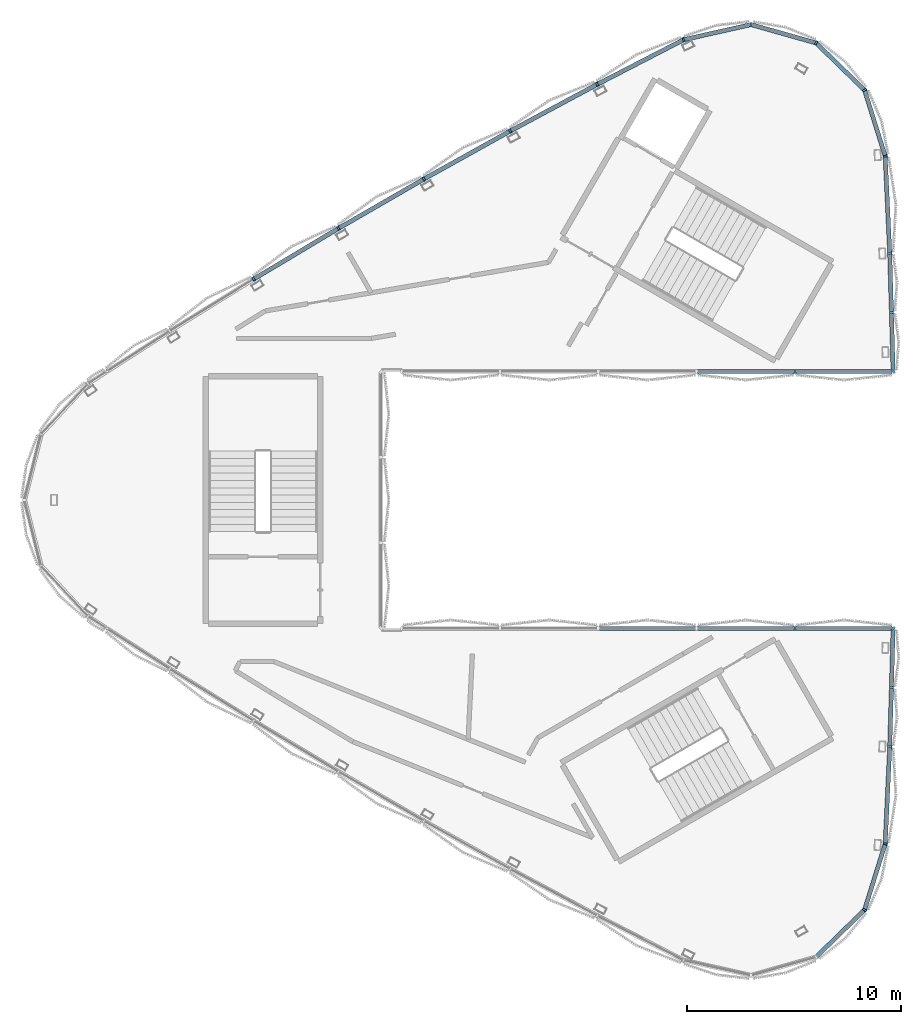
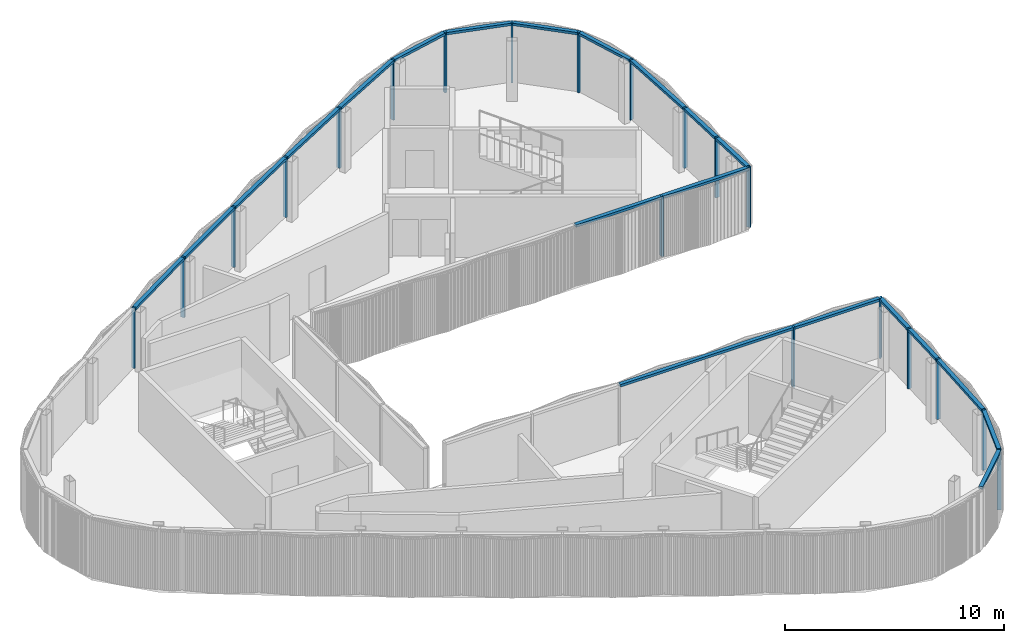
# One storey, part 4 of 16: 39 members, 2 elements without a shape of their own.
"""IFC4 building model written with IfcOpenShell, lengths in metres."""

from ifc_helpers import new_model, si_unit, direction, frame, origin, origin_2d, place, context, subcontext, project, spatial, rectangle, extrude, material, material_profile, profile_set, type_object, element, aggregate, save


model = new_model("IFC4")

# Units and contexts
model_context = context("Model", 3, precision=1e-05, world=origin(), true_north=direction((0.0, 1.0)))
body_context = subcontext(model_context, "Body", "Model", "MODEL_VIEW")
ifc_project = project(units=[si_unit("LENGTHUNIT", "METRE"), si_unit("AREAUNIT", "SQUARE_METRE"), si_unit("VOLUMEUNIT", "CUBIC_METRE"), si_unit("PLANEANGLEUNIT", "RADIAN"), si_unit("MASSUNIT", "GRAM", prefix="KILO")], contexts=[model_context])

# Site, building, storey
site_placement = place(None, origin())
site = spatial("IfcSite", under=ifc_project, at=site_placement, CompositionType="ELEMENT")
building_placement = place(site_placement, origin())
building = spatial("IfcBuilding", under=site, at=building_placement, Name="Tamra Quay Hotel Tower", CompositionType="ELEMENT")
storey_placement = place(building_placement, frame((0.0, 0.0, 324.199951171875)))
storey = spatial("IfcBuildingStorey", under=building, at=storey_placement, Name="Roof crown 2", CompositionType="ELEMENT", Elevation=324.199951171875)

# Curtain wall, members
ifc_material = material(Name="Aluminium 6063 anodised dark grey", Category="aluminium")
curtain_wall_type = type_object("IfcCurtainWallType", Name="CW6 CURTAIN WALL", PredefinedType="NOTDEFINED", material=ifc_material)
curtain_wall_1_placement = place(storey_placement, origin())
curtain_wall_1 = element("IfcCurtainWall", 1, at=curtain_wall_1_placement, inside=storey, type_object=curtain_wall_type, Name="CW6 lantern A face Roof crown 2", PredefinedType="NOTDEFINED")
ifc_material_profile_1 = material_profile(ifc_material, rectangle(XDim=0.199951171875, YDim=0.10009765625, at=origin_2d()), Name="MULLION 100X200")
ifc_profile_set_1 = profile_set([ifc_material_profile_1], Name="Aluminium 6063 anodised dark grey")
member_type_1 = type_object("IfcMemberType", Name="MULLION CW6", PredefinedType="MULLION", material=ifc_profile_set_1)
member_1_placement = place(storey_placement, frame((15.767822265625, 11.528564453125, 0.0), z_axis=(0.0, 0.0, 1.0), x_axis=(0.999287700876, 0.037737128642, 0.0)))
member_1 = element("IfcMember", 2, at=member_1_placement, type_object=member_type_1, Name="CW6 mullion Roof crown 2.A.1", PredefinedType="MULLION", context=body_context, shape_type="SweptSolid", body=[
    extrude(rectangle(XDim=0.199951171875, YDim=0.10009765625, at=origin_2d()), origin(), (0.0, 0.0, 1.0), 3.35009765625),
])
member_2_placement = place(storey_placement, frame((15.555419921875, 16.063720703125, 0.0), z_axis=(0.0, 0.0, 1.0), x_axis=(0.984739916253, 0.174032460585, 0.0)))
member_2 = element("IfcMember", 3, at=member_2_placement, type_object=member_type_1, Name="CW6 mullion Roof crown 2.A.2", PredefinedType="MULLION", context=body_context, shape_type="SweptSolid", body=[
    extrude(rectangle(XDim=0.199951171875, YDim=0.10009765625, at=origin_2d()), origin(), (0.0, 0.0, 1.0), 3.35009765625),
])
member_3_placement = place(storey_placement, frame((14.5908203125, 19.149169921875, 0.0), z_axis=(0.0, 0.0, 1.0), x_axis=(0.851964184595, 0.523600065094, 0.0)))
member_3 = element("IfcMember", 4, at=member_3_placement, type_object=member_type_1, Name="CW6 mullion Roof crown 2.A.3", PredefinedType="MULLION", context=body_context, shape_type="SweptSolid", body=[
    extrude(rectangle(XDim=0.199951171875, YDim=0.10009765625, at=origin_2d()), origin(), (0.0, 0.0, 1.0), 3.35009765625),
])
member_4_placement = place(storey_placement, frame((12.3271484375, 21.351318359375, 0.0), z_axis=(0.0, 0.0, 1.0), x_axis=(0.5, 0.866025403784, 0.0)))
member_4 = element("IfcMember", 5, at=member_4_placement, type_object=member_type_1, Name="CW6 mullion Roof crown 2.A.4", PredefinedType="MULLION", context=body_context, shape_type="SweptSolid", body=[
    extrude(rectangle(XDim=0.199951171875, YDim=0.10009765625, at=origin_2d()), origin(), (0.0, 0.0, 1.0), 3.35009765625),
])
member_5_placement = place(storey_placement, frame((9.288330078125, 22.21044921875, 0.0), z_axis=(0.0, 0.0, 1.0), x_axis=(0.027468865497, 0.999622659521, 0.0)))
member_5 = element("IfcMember", 6, at=member_5_placement, type_object=member_type_1, Name="CW6 mullion Roof crown 2.A.5", PredefinedType="MULLION", context=body_context, shape_type="SweptSolid", body=[
    extrude(rectangle(XDim=0.199951171875, YDim=0.10009765625, at=origin_2d()), origin(), (0.0, 0.0, 1.0), 3.35009765625),
])
member_6_placement = place(storey_placement, frame((6.134033203125, 21.503173828125, 0.0), z_axis=(0.0, 0.0, 1.0), x_axis=(-0.341653426177, 0.939826013888, 0.0)))
member_6 = element("IfcMember", 7, at=member_6_placement, type_object=member_type_1, Name="CW6 mullion Roof crown 2.A.6", PredefinedType="MULLION", context=body_context, shape_type="SweptSolid", body=[
    extrude(rectangle(XDim=0.199951171875, YDim=0.10009765625, at=origin_2d()), origin(), (0.0, 0.0, 1.0), 3.35009765625),
])
member_7_placement = place(storey_placement, frame((2.10009765625, 19.419677734375, 0.0), z_axis=(0.0, 0.0, 1.0), x_axis=(-0.465815600445, 0.884881814923, 0.0)))
member_7 = element("IfcMember", 8, at=member_7_placement, type_object=member_type_1, Name="CW6 mullion Roof crown 2.A.7", PredefinedType="MULLION", context=body_context, shape_type="SweptSolid", body=[
    extrude(rectangle(XDim=0.199951171875, YDim=0.10009765625, at=origin_2d()), origin(), (0.0, 0.0, 1.0), 3.35009765625),
])
member_8_placement = place(storey_placement, frame((-1.96435546875, 17.239501953125, 0.0), z_axis=(0.0, 0.0, 1.0), x_axis=(-0.479565116943, 0.877506295483, 0.0)))
member_8 = element("IfcMember", 9, at=member_8_placement, type_object=member_type_1, Name="CW6 mullion Roof crown 2.A.8", PredefinedType="MULLION", context=body_context, shape_type="SweptSolid", body=[
    extrude(rectangle(XDim=0.199951171875, YDim=0.10009765625, at=origin_2d()), origin(), (0.0, 0.0, 1.0), 3.35009765625),
])
member_9_placement = place(storey_placement, frame((-5.99462890625, 14.995849609375, 0.0), z_axis=(0.0, 0.0, 1.0), x_axis=(-0.493215722033, 0.869907036148, 0.0)))
member_9 = element("IfcMember", 10, at=member_9_placement, type_object=member_type_1, Name="CW6 mullion Roof crown 2.A.9", PredefinedType="MULLION", context=body_context, shape_type="SweptSolid", body=[
    extrude(rectangle(XDim=0.199951171875, YDim=0.10009765625, at=origin_2d()), origin(), (0.0, 0.0, 1.0), 3.35009765625),
])
member_10_placement = place(storey_placement, frame((-9.989501953125, 12.689453125, 0.0), z_axis=(0.0, 0.0, 1.0), x_axis=(-0.506753731218, 0.862090862901, 0.0)))
member_10 = element("IfcMember", 11, at=member_10_placement, type_object=member_type_1, Name="CW6 mullion Roof crown 2.A.10", PredefinedType="MULLION", context=body_context, shape_type="SweptSolid", body=[
    extrude(rectangle(XDim=0.199951171875, YDim=0.10009765625, at=origin_2d()), origin(), (0.0, 0.0, 1.0), 3.35009765625),
])
member_11_placement = place(storey_placement, frame((-13.947509765625, 10.321044921875, 0.0), z_axis=(0.0, 0.0, 1.0), x_axis=(-0.520160185397, 0.854068721783, 0.0)))
member_11 = element("IfcMember", 12, at=member_11_placement, type_object=member_type_1, Name="CW6 mullion Roof crown 2.A.11", PredefinedType="MULLION", context=body_context, shape_type="SweptSolid", body=[
    extrude(rectangle(XDim=0.199951171875, YDim=0.10009765625, at=origin_2d()), origin(), (0.0, 0.0, 1.0), 3.35009765625),
])
member_12_placement = place(storey_placement, frame((11.333740234375, 6.0, 0.0), z_axis=(0.0, 0.0, 1.0), x_axis=(0.0, -1.0, 0.0)))
member_12 = element("IfcMember", 13, at=member_12_placement, type_object=member_type_1, Name="CW6 mullion Roof crown 2.A.17", PredefinedType="MULLION", context=body_context, shape_type="SweptSolid", body=[
    extrude(rectangle(XDim=0.199951171875, YDim=0.10009765625, at=origin_2d()), origin(), (0.0, 0.0, 1.0), 3.35009765625),
])
member_13_placement = place(storey_placement, frame((15.92626953125, 6.0, 0.0), z_axis=(0.0, 0.0, 1.0), x_axis=(0.717164497017, -0.696903927538, 0.0)))
member_13 = element("IfcMember", 14, at=member_13_placement, type_object=member_type_1, Name="CW6 mullion Roof crown 2.A.18", PredefinedType="MULLION", context=body_context, shape_type="SweptSolid", body=[
    extrude(rectangle(XDim=0.199951171875, YDim=0.10009765625, at=origin_2d()), origin(), (0.0, 0.0, 1.0), 3.35009765625),
])
member_14_placement = place(storey_placement, frame((15.84716796875, 8.76416015625, 0.0), z_axis=(0.0, 0.0, 1.0), x_axis=(0.999589509324, 0.028649831581, 0.0)))
member_14 = element("IfcMember", 15, at=member_14_placement, type_object=member_type_1, Name="CW6 mullion Roof crown 2.A.19", PredefinedType="MULLION", context=body_context, shape_type="SweptSolid", body=[
    extrude(rectangle(XDim=0.199951171875, YDim=0.10009765625, at=origin_2d()), origin(), (0.0, 0.0, 1.0), 3.35009765625),
])

curtain_wall_2_placement = place(storey_placement, origin())
curtain_wall_2 = element("IfcCurtainWall", 16, at=curtain_wall_2_placement, inside=storey, type_object=curtain_wall_type, Name="CW6 lantern B face Roof crown 2", PredefinedType="NOTDEFINED")
member_15_placement = place(storey_placement, frame((15.92626953125, -6.0, 0.0), z_axis=(0.0, 0.0, 1.0), x_axis=(0.717164497017, 0.696903927538, 0.0)))
member_15 = element("IfcMember", 17, at=member_15_placement, type_object=member_type_1, Name="CW6 mullion Roof crown 2.B.1", PredefinedType="MULLION", context=body_context, shape_type="SweptSolid", body=[
    extrude(rectangle(XDim=0.199951171875, YDim=0.10009765625, at=origin_2d()), origin(), (0.0, 0.0, 1.0), 3.35009765625),
])
member_16_placement = place(storey_placement, frame((11.333740234375, -6.0, 0.0), z_axis=(0.0, 0.0, 1.0), x_axis=(0.0, 1.0, 0.0)))
member_16 = element("IfcMember", 18, at=member_16_placement, type_object=member_type_1, Name="CW6 mullion Roof crown 2.B.2", PredefinedType="MULLION", context=body_context, shape_type="SweptSolid", body=[
    extrude(rectangle(XDim=0.199951171875, YDim=0.10009765625, at=origin_2d()), origin(), (0.0, 0.0, 1.0), 3.35009765625),
])
member_17_placement = place(storey_placement, frame((14.5908203125, -19.149169921875, 0.0), z_axis=(0.0, 0.0, 1.0), x_axis=(0.851964184595, -0.523600065094, 0.0)))
member_17 = element("IfcMember", 19, at=member_17_placement, type_object=member_type_1, Name="CW6 mullion Roof crown 2.B.16", PredefinedType="MULLION", context=body_context, shape_type="SweptSolid", body=[
    extrude(rectangle(XDim=0.199951171875, YDim=0.10009765625, at=origin_2d()), origin(), (0.0, 0.0, 1.0), 3.35009765625),
])
member_18_placement = place(storey_placement, frame((15.555419921875, -16.063720703125, 0.0), z_axis=(0.0, 0.0, 1.0), x_axis=(0.984739916253, -0.174032460585, 0.0)))
member_18 = element("IfcMember", 20, at=member_18_placement, type_object=member_type_1, Name="CW6 mullion Roof crown 2.B.17", PredefinedType="MULLION", context=body_context, shape_type="SweptSolid", body=[
    extrude(rectangle(XDim=0.199951171875, YDim=0.10009765625, at=origin_2d()), origin(), (0.0, 0.0, 1.0), 3.35009765625),
])
member_19_placement = place(storey_placement, frame((15.767822265625, -11.528564453125, 0.0), z_axis=(0.0, 0.0, 1.0), x_axis=(0.999287700876, -0.037737128642, 0.0)))
member_19 = element("IfcMember", 21, at=member_19_placement, type_object=member_type_1, Name="CW6 mullion Roof crown 2.B.18", PredefinedType="MULLION", context=body_context, shape_type="SweptSolid", body=[
    extrude(rectangle(XDim=0.199951171875, YDim=0.10009765625, at=origin_2d()), origin(), (0.0, 0.0, 1.0), 3.35009765625),
])
member_20_placement = place(storey_placement, frame((15.84716796875, -8.76416015625, 0.0), z_axis=(0.0, 0.0, 1.0), x_axis=(0.999589509324, -0.028649831581, 0.0)))
member_20 = element("IfcMember", 22, at=member_20_placement, type_object=member_type_1, Name="CW6 mullion Roof crown 2.B.19", PredefinedType="MULLION", context=body_context, shape_type="SweptSolid", body=[
    extrude(rectangle(XDim=0.199951171875, YDim=0.10009765625, at=origin_2d()), origin(), (0.0, 0.0, 1.0), 3.35009765625),
])

# Member
ifc_material_profile_2 = material_profile(ifc_material, rectangle(XDim=0.199951171875, YDim=0.139892578125, at=origin_2d()), Name="TRANSOM 200X140")
ifc_profile_set_2 = profile_set([ifc_material_profile_2], Name="Aluminium 6063 anodised dark grey")
member_type_2 = type_object("IfcMemberType", Name="TRANSOM CW6", PredefinedType="USERDEFINED", material=ifc_profile_set_2)
member_21_placement = place(storey_placement, frame((15.765625, 11.578369140625, 3.280029296875), z_axis=(-0.046844159112, 0.998902209807, 0.0), x_axis=(-0.998902209807, -0.046844159112, 0.0)))
member_21 = element("IfcMember", 23, at=member_21_placement, type_object=member_type_2, Name="CW6 transom Roof crown 2.A.1", ObjectType="TRANSOM", PredefinedType="USERDEFINED", context=body_context, shape_type="SweptSolid", body=[
    extrude(rectangle(XDim=0.199951171875, YDim=0.139892578125, at=origin_2d()), origin(), (0.0, 0.0, 1.0), 4.4404296875),
])

member_22_placement = place(storey_placement, frame((15.54052734375, 16.111572265625, 3.280029296875), z_axis=(-0.298403676177, 0.954439755063, 0.0), x_axis=(-0.954439755063, -0.298403676177, 0.0)))
member_22 = element("IfcMember", 24, at=member_22_placement, type_object=member_type_2, Name="CW6 transom Roof crown 2.A.2", ObjectType="TRANSOM", PredefinedType="USERDEFINED", context=body_context, shape_type="SweptSolid", body=[
    extrude(rectangle(XDim=0.199951171875, YDim=0.139892578125, at=origin_2d()), origin(), (0.0, 0.0, 1.0), 3.1328125),
])

member_23_placement = place(storey_placement, frame((14.554931640625, 19.18408203125, 3.280029296875), z_axis=(-0.716779852689, 0.697299535909, 0.0), x_axis=(-0.697299535909, -0.716779852689, 0.0)))
member_23 = element("IfcMember", 25, at=member_23_placement, type_object=member_type_2, Name="CW6 transom Roof crown 2.A.3", ObjectType="TRANSOM", PredefinedType="USERDEFINED", context=body_context, shape_type="SweptSolid", body=[
    extrude(rectangle(XDim=0.199951171875, YDim=0.139892578125, at=origin_2d()), origin(), (0.0, 0.0, 1.0), 3.057861328125),
])

member_24_placement = place(storey_placement, frame((12.279052734375, 21.364990234375, 3.280029296875), z_axis=(-0.962273511824, 0.272083973143, 0.0), x_axis=(-0.272083973143, -0.962273511824, 0.0)))
member_24 = element("IfcMember", 26, at=member_24_placement, type_object=member_type_2, Name="CW6 transom Roof crown 2.A.4", ObjectType="TRANSOM", PredefinedType="USERDEFINED", context=body_context, shape_type="SweptSolid", body=[
    extrude(rectangle(XDim=0.199951171875, YDim=0.139892578125, at=origin_2d()), origin(), (0.0, 0.0, 1.0), 3.05810546875),
])

member_25_placement = place(storey_placement, frame((9.239501953125, 22.19970703125, 3.280029296875), z_axis=(-0.97575974355, -0.218844517563, 0.0), x_axis=(0.218844517563, -0.97575974355, 0.0)))
member_25 = element("IfcMember", 27, at=member_25_placement, type_object=member_type_2, Name="CW6 transom Roof crown 2.A.5", ObjectType="TRANSOM", PredefinedType="USERDEFINED", context=body_context, shape_type="SweptSolid", body=[
    extrude(rectangle(XDim=0.199951171875, YDim=0.139892578125, at=origin_2d()), origin(), (0.0, 0.0, 1.0), 3.132568359375),
])

member_26_placement = place(storey_placement, frame((6.089599609375, 21.480224609375, 3.280029296875), z_axis=(-0.888489056093, -0.458897806928, 0.0), x_axis=(0.458897806928, -0.888489056093, 0.0)))
member_26 = element("IfcMember", 28, at=member_26_placement, type_object=member_type_2, Name="CW6 transom Roof crown 2.A.6", ObjectType="TRANSOM", PredefinedType="USERDEFINED", context=body_context, shape_type="SweptSolid", body=[
    extrude(rectangle(XDim=0.199951171875, YDim=0.139892578125, at=origin_2d()), origin(), (0.0, 0.0, 1.0), 4.440185546875),
])

member_27_placement = place(storey_placement, frame((2.055908203125, 19.39599609375, 3.280029296875), z_axis=(-0.881213593075, -0.47271831293, 0.0), x_axis=(0.47271831293, -0.881213593075, 0.0)))
member_27 = element("IfcMember", 29, at=member_27_placement, type_object=member_type_2, Name="CW6 transom Roof crown 2.A.7", ObjectType="TRANSOM", PredefinedType="USERDEFINED", context=body_context, shape_type="SweptSolid", body=[
    extrude(rectangle(XDim=0.199951171875, YDim=0.139892578125, at=origin_2d()), origin(), (0.0, 0.0, 1.0), 4.51220703125),
])

member_28_placement = place(storey_placement, frame((-2.008056640625, 17.215087890625, 3.280029296875), z_axis=(-0.8737256573, -0.486419033114, 0.0), x_axis=(0.486419033114, -0.8737256573, 0.0)))
member_28 = element("IfcMember", 30, at=member_28_placement, type_object=member_type_2, Name="CW6 transom Roof crown 2.A.8", ObjectType="TRANSOM", PredefinedType="USERDEFINED", context=body_context, shape_type="SweptSolid", body=[
    extrude(rectangle(XDim=0.199951171875, YDim=0.139892578125, at=origin_2d()), origin(), (0.0, 0.0, 1.0), 4.5126953125),
])

member_29_placement = place(storey_placement, frame((-6.0380859375, 14.970703125, 3.280029296875), z_axis=(-0.86601710485, -0.5000143739, 0.0), x_axis=(0.5000143739, -0.86601710485, 0.0)))
member_29 = element("IfcMember", 31, at=member_29_placement, type_object=member_type_2, Name="CW6 transom Roof crown 2.A.9", ObjectType="TRANSOM", PredefinedType="USERDEFINED", context=body_context, shape_type="SweptSolid", body=[
    extrude(rectangle(XDim=0.199951171875, YDim=0.139892578125, at=origin_2d()), origin(), (0.0, 0.0, 1.0), 4.512451171875),
])

member_30_placement = place(storey_placement, frame((-10.0322265625, 12.663818359375, 3.280029296875), z_axis=(-0.858103349305, -0.513477012058, 0.0), x_axis=(0.513477012058, -0.858103349305, 0.0)))
member_30 = element("IfcMember", 32, at=member_30_placement, type_object=member_type_2, Name="CW6 transom Roof crown 2.A.10", ObjectType="TRANSOM", PredefinedType="USERDEFINED", context=body_context, shape_type="SweptSolid", body=[
    extrude(rectangle(XDim=0.199951171875, YDim=0.139892578125, at=origin_2d()), origin(), (0.0, 0.0, 1.0), 4.5126953125),
])

member_31_placement = place(storey_placement, frame((6.790771484375, 6.0, 3.280029296875), z_axis=(1.0, 0.0, 0.0), x_axis=(0.0, 1.0, 0.0)))
member_31 = element("IfcMember", 33, at=member_31_placement, type_object=member_type_2, Name="CW6 transom Roof crown 2.A.16", ObjectType="TRANSOM", PredefinedType="USERDEFINED", context=body_context, shape_type="SweptSolid", body=[
    extrude(rectangle(XDim=0.199951171875, YDim=0.139892578125, at=origin_2d()), origin(), (0.0, 0.0, 1.0), 9.085693359375),
])

member_32_placement = place(storey_placement, frame((15.925048828125, 6.050048828125, 3.280029296875), z_axis=(-0.02866959947, 0.999588942549, 0.0), x_axis=(-0.999588942549, -0.02866959947, 0.0)))
member_32 = element("IfcMember", 34, at=member_32_placement, type_object=member_type_2, Name="CW6 transom Roof crown 2.A.18", ObjectType="TRANSOM", PredefinedType="USERDEFINED", context=body_context, shape_type="SweptSolid", body=[
    extrude(rectangle(XDim=0.199951171875, YDim=0.139892578125, at=origin_2d()), origin(), (0.0, 0.0, 1.0), 2.665283203125),
])

member_33_placement = place(storey_placement, frame((15.845703125, 8.814208984375, 3.280029296875), z_axis=(-0.02866959947, 0.999588942549, 0.0), x_axis=(-0.999588942549, -0.02866959947, 0.0)))
member_33 = element("IfcMember", 35, at=member_33_placement, type_object=member_type_2, Name="CW6 transom Roof crown 2.A.19", ObjectType="TRANSOM", PredefinedType="USERDEFINED", context=body_context, shape_type="SweptSolid", body=[
    extrude(rectangle(XDim=0.199951171875, YDim=0.139892578125, at=origin_2d()), origin(), (0.0, 0.0, 1.0), 2.665283203125),
])

aggregate(curtain_wall_1, [member_1, member_21, member_2, member_22, member_3, member_23, member_4, member_24, member_5, member_25, member_6, member_26, member_7, member_27, member_8, member_28, member_9, member_29, member_10, member_30, member_11, member_31, member_12, member_13, member_32, member_14, member_33])

member_34_placement = place(storey_placement, frame((15.87646484375, -6.0, 3.280029296875), z_axis=(-1.0, 0.0, 0.0), x_axis=(0.0, -1.0, 0.0)))
member_34 = element("IfcMember", 36, at=member_34_placement, type_object=member_type_2, Name="CW6 transom Roof crown 2.B.1", ObjectType="TRANSOM", PredefinedType="USERDEFINED", context=body_context, shape_type="SweptSolid", body=[
    extrude(rectangle(XDim=0.199951171875, YDim=0.139892578125, at=origin_2d()), origin(), (0.0, 0.0, 1.0), 13.67822265625),
])

member_35_placement = place(storey_placement, frame((12.363037109375, -21.31640625, 3.280029296875), z_axis=(0.716779852689, 0.697299535909, 0.0), x_axis=(-0.697299535909, 0.716779852689, 0.0)))
member_35 = element("IfcMember", 37, at=member_35_placement, type_object=member_type_2, Name="CW6 transom Roof crown 2.B.15", ObjectType="TRANSOM", PredefinedType="USERDEFINED", context=body_context, shape_type="SweptSolid", body=[
    extrude(rectangle(XDim=0.199951171875, YDim=0.139892578125, at=origin_2d()), origin(), (0.0, 0.0, 1.0), 3.057861328125),
])

member_36_placement = place(storey_placement, frame((14.605712890625, -19.1015625, 3.280029296875), z_axis=(0.298403676177, 0.954439755063, 0.0), x_axis=(-0.954439755063, 0.298403676177, 0.0)))
member_36 = element("IfcMember", 38, at=member_36_placement, type_object=member_type_2, Name="CW6 transom Roof crown 2.B.16", ObjectType="TRANSOM", PredefinedType="USERDEFINED", context=body_context, shape_type="SweptSolid", body=[
    extrude(rectangle(XDim=0.199951171875, YDim=0.139892578125, at=origin_2d()), origin(), (0.0, 0.0, 1.0), 3.1328125),
])

member_37_placement = place(storey_placement, frame((15.5576171875, -16.013916015625, 3.280029296875), z_axis=(0.046844159112, 0.998902209807, 0.0), x_axis=(-0.998902209807, 0.046844159112, 0.0)))
member_37 = element("IfcMember", 39, at=member_37_placement, type_object=member_type_2, Name="CW6 transom Roof crown 2.B.17", ObjectType="TRANSOM", PredefinedType="USERDEFINED", context=body_context, shape_type="SweptSolid", body=[
    extrude(rectangle(XDim=0.199951171875, YDim=0.139892578125, at=origin_2d()), origin(), (0.0, 0.0, 1.0), 4.4404296875),
])

member_38_placement = place(storey_placement, frame((15.769287109375, -11.478515625, 3.280029296875), z_axis=(0.02866959947, 0.999588942549, 0.0), x_axis=(-0.999588942549, 0.02866959947, 0.0)))
member_38 = element("IfcMember", 40, at=member_38_placement, type_object=member_type_2, Name="CW6 transom Roof crown 2.B.18", ObjectType="TRANSOM", PredefinedType="USERDEFINED", context=body_context, shape_type="SweptSolid", body=[
    extrude(rectangle(XDim=0.199951171875, YDim=0.139892578125, at=origin_2d()), origin(), (0.0, 0.0, 1.0), 2.665283203125),
])

member_39_placement = place(storey_placement, frame((15.8486328125, -8.71435546875, 3.280029296875), z_axis=(0.02866959947, 0.999588942549, 0.0), x_axis=(-0.999588942549, 0.02866959947, 0.0)))
member_39 = element("IfcMember", 41, at=member_39_placement, type_object=member_type_2, Name="CW6 transom Roof crown 2.B.19", ObjectType="TRANSOM", PredefinedType="USERDEFINED", context=body_context, shape_type="SweptSolid", body=[
    extrude(rectangle(XDim=0.199951171875, YDim=0.139892578125, at=origin_2d()), origin(), (0.0, 0.0, 1.0), 2.665283203125),
])

aggregate(curtain_wall_2, [member_15, member_34, member_16, member_35, member_17, member_36, member_18, member_37, member_19, member_38, member_20, member_39])

save(model, "model.ifc")
